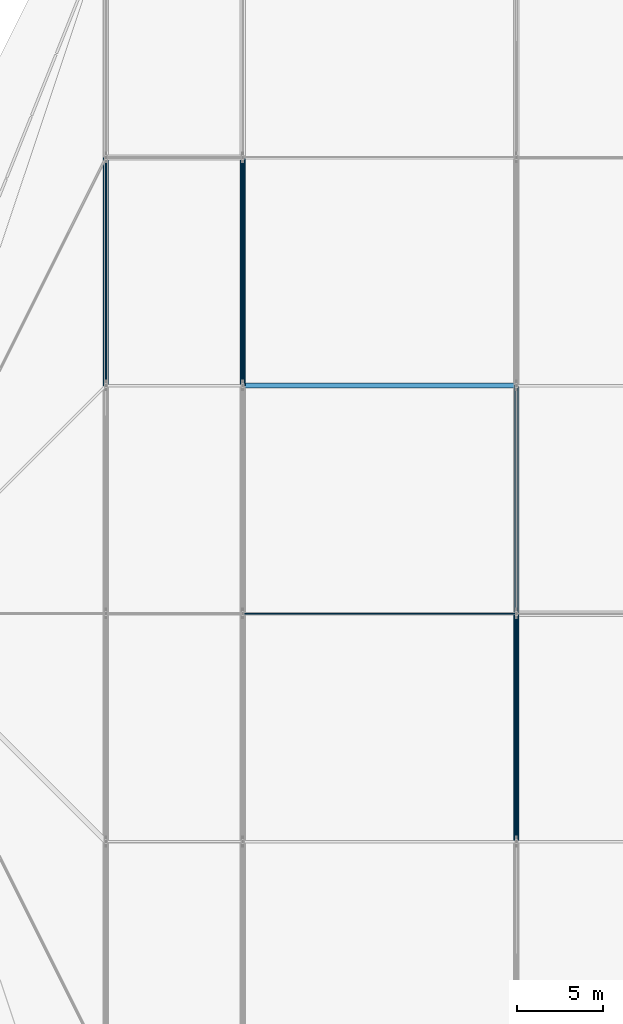
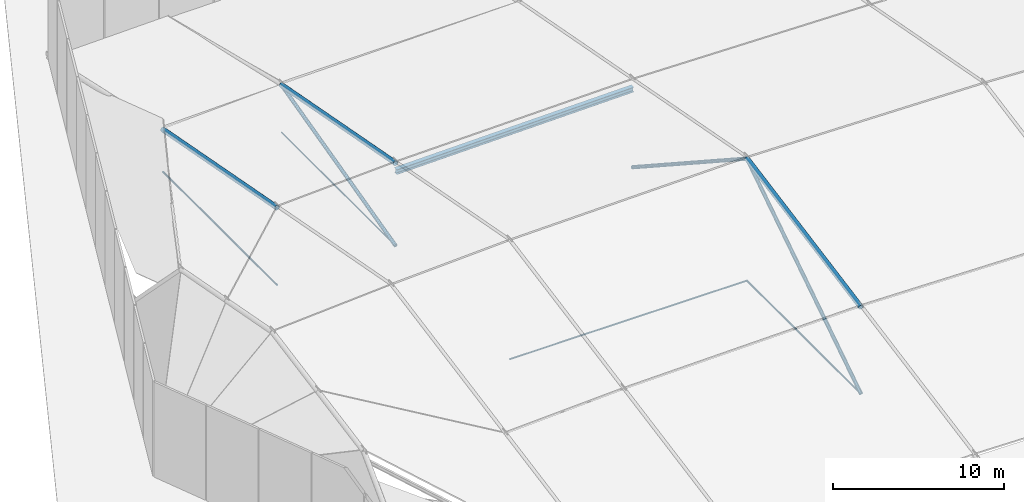
# One storey, part 10 of 30: 11 members.
"""IFC4 building model written with IfcOpenShell, lengths in metres."""

from ifc_helpers import new_model, si_unit, direction, frame, origin, origin_2d, place, context, subcontext, project, spatial, circle, hollow_circle, i_section, extrude, material, material_profile, profile_set, type_object, element, save


model = new_model("IFC4")

# Units and contexts
model_context = context("Model", 3, precision=1e-05, world=origin(), true_north=direction((0.0, 1.0)))
body_context = subcontext(model_context, "Body", "Model", "MODEL_VIEW")
ifc_project = project(units=[si_unit("LENGTHUNIT", "METRE"), si_unit("AREAUNIT", "SQUARE_METRE"), si_unit("VOLUMEUNIT", "CUBIC_METRE"), si_unit("PLANEANGLEUNIT", "RADIAN"), si_unit("MASSUNIT", "GRAM", prefix="KILO")], contexts=[model_context])

# Site, building, storey
site_placement = place(None, origin())
site = spatial("IfcSite", under=ifc_project, at=site_placement, CompositionType="ELEMENT")
building_placement = place(site_placement, origin())
building = spatial("IfcBuilding", under=site, at=building_placement, Name="Tazarka Park Arena", CompositionType="ELEMENT")
storey_placement = place(building_placement, frame((0.0, 0.0, 29.39990234375)))
storey = spatial("IfcBuildingStorey", under=building, at=storey_placement, Name="Roof", CompositionType="ELEMENT", Elevation=29.39990234375)

# Members
ifc_material_1 = material(Name="Steel S355", Category="steel")
ifc_material_profile_1 = material_profile(ifc_material_1, hollow_circle(Radius=0.122314453125, WallThickness=0.012451171875, at=origin_2d()), Name="Steel S355")
ifc_profile_set_1 = profile_set([ifc_material_profile_1], Name="Steel S355")
member_type_1 = type_object("IfcMemberType", Name="MEM-BR-05", PredefinedType="BRACE", material=ifc_profile_set_1)
member_1_placement = place(storey_placement, frame((72.0, 77.333251953125, -0.0498046875), z_axis=(0.0, 0.969459981923, 0.245249553416), x_axis=(-1.0, 0.0, 0.0)))
element("IfcMember", 1, at=member_1_placement, inside=storey, type_object=member_type_1, Name="CBD-03-4", PredefinedType="BRACE", context=body_context, shape_type="SweptSolid", body=[
    extrude(hollow_circle(Radius=0.122314453125, WallThickness=0.012451171875, at=origin_2d()), origin(), (0.0, 0.0, 1.0), 13.75341796875),
])
for number, where, z_axis, x_axis, name in (
    (2, (88.0, 50.666748046875, -0.0498046875), (0.0, 0.8374854957, 0.546459554305), (-1.0, 0.0, 0.0), "CBD-04-2"),
    (3, (88.0, 64.0, 8.650146484375), (0.0, 0.8374854957, -0.546459554305), (-1.0, 0.0, 0.0), "CBD-04-3"),
):
    element("IfcMember", number, at=place(storey_placement, frame(where, z_axis=z_axis, x_axis=x_axis)), inside=storey, type_object=member_type_1, Name=name, PredefinedType="BRACE", context=body_context, shape_type="SweptSolid", body=[
        extrude(hollow_circle(Radius=0.122314453125, WallThickness=0.012451171875, at=origin_2d()), origin(), (0.0, 0.0, 1.0), 15.920654296875),
    ])
ifc_material_2 = material(Name="Locked-coil steel cable S1570", Category="steel")
ifc_material_profile_2 = material_profile(ifc_material_2, circle(Radius=0.0400390625, at=origin_2d()), Name="Locked-coil steel cable S1570")
ifc_profile_set_2 = profile_set([ifc_material_profile_2], Name="Locked-coil steel cable S1570")
member_type_2 = type_object("IfcMemberType", Name="MEM-CBL-01", PredefinedType="USERDEFINED", material=ifc_profile_set_2)
member_2_placement = place(storey_placement, frame((72.0, 64.0, -0.0498046875), z_axis=(1.0, 0.0, 0.0), x_axis=(0.0, 1.0, 0.0)))
element("IfcMember", 4, at=member_2_placement, inside=storey, type_object=member_type_2, Name="CABLE TRANSVERSE 4-3", ObjectType="CABLE", PredefinedType="USERDEFINED", context=body_context, shape_type="SweptSolid", body=[
    extrude(circle(Radius=0.0400390625, at=origin_2d()), origin(), (0.0, 0.0, 1.0), 16.0),
])
ifc_material_3 = material(Name="Locked-coil steel cable S1570", Category="steel")
ifc_material_profile_3 = material_profile(ifc_material_3, circle(Radius=0.06005859375, at=origin_2d()), Name="Locked-coil steel cable S1570")
ifc_profile_set_3 = profile_set([ifc_material_profile_3], Name="Locked-coil steel cable S1570")
member_type_3 = type_object("IfcMemberType", Name="MEM-CBL-03", PredefinedType="USERDEFINED", material=ifc_profile_set_3)
member_3_placement = place(storey_placement, frame((64.0, 77.333251953125, -0.0498046875), z_axis=(0.0, 1.0, 0.0), x_axis=(-1.0, 0.0, 0.0)))
element("IfcMember", 5, at=member_3_placement, inside=storey, type_object=member_type_3, Name="CABLE CBL-03-3-5", ObjectType="CABLE", PredefinedType="USERDEFINED", context=body_context, shape_type="SweptSolid", body=[
    extrude(circle(Radius=0.06005859375, at=origin_2d()), origin(), (0.0, 0.0, 1.0), 13.33349609375),
])
member_4_placement = place(storey_placement, frame((88.0, 50.666748046875, -0.0498046875), z_axis=(0.0, 1.0, 0.0), x_axis=(-1.0, 0.0, 0.0)))
element("IfcMember", 6, at=member_4_placement, inside=storey, type_object=member_type_3, Name="CABLE CBL-03-5-3", ObjectType="CABLE", PredefinedType="USERDEFINED", context=body_context, shape_type="SweptSolid", body=[
    extrude(circle(Radius=0.06005859375, at=origin_2d()), origin(), (0.0, 0.0, 1.0), 13.333251953125),
])
ifc_material_4 = material(Name="Locked-coil steel cable S1570", Category="steel")
ifc_material_profile_4 = material_profile(ifc_material_4, circle(Radius=0.044921875, at=origin_2d()), Name="Locked-coil steel cable S1570")
ifc_profile_set_4 = profile_set([ifc_material_profile_4], Name="Locked-coil steel cable S1570")
member_type_4 = type_object("IfcMemberType", Name="MEM-CBL-04", PredefinedType="USERDEFINED", material=ifc_profile_set_4)
member_5_placement = place(storey_placement, frame((72.0, 77.333251953125, -0.0498046875), z_axis=(0.0, 1.0, 0.0), x_axis=(-1.0, 0.0, 0.0)))
element("IfcMember", 7, at=member_5_placement, inside=storey, type_object=member_type_4, Name="CABLE CBL-04-4-5", ObjectType="CABLE", PredefinedType="USERDEFINED", context=body_context, shape_type="SweptSolid", body=[
    extrude(circle(Radius=0.044921875, at=origin_2d()), origin(), (0.0, 0.0, 1.0), 13.33349609375),
])
ifc_material_5 = material(Name="Steel S460", Category="steel")
ifc_material_profile_5 = material_profile(ifc_material_5, hollow_circle(Radius=0.161865234375, WallThickness=0.01611328125, at=origin_2d()), Name="Steel S460")
ifc_profile_set_5 = profile_set([ifc_material_profile_5], Name="Steel S460")
member_type_5 = type_object("IfcMemberType", Name="MEM-CH-03", PredefinedType="CHORD", material=ifc_profile_set_5)
for number, where, z_axis, x_axis, name in (
    (8, (64.0, 77.333251953125, 5.46484375), (0.0, 0.982679772131, -0.185311806005), (-1.0, 0.0, 0.0), "CABLE ARCH CHORD 3-5"),
    (9, (72.0, 77.333251953125, 5.837646484375), (0.0, 0.982679772131, -0.185311806005), (-1.0, 0.0, 0.0), "CABLE ARCH CHORD 4-5"),
):
    element("IfcMember", number, at=place(storey_placement, frame(where, z_axis=z_axis, x_axis=x_axis)), inside=storey, type_object=member_type_5, Name=name, PredefinedType="CHORD", context=body_context, shape_type="SweptSolid", body=[
        extrude(hollow_circle(Radius=0.161865234375, WallThickness=0.01611328125, at=origin_2d()), origin(), (0.0, 0.0, 1.0), 13.568603515625),
    ])
member_6_placement = place(storey_placement, frame((88.0, 50.666748046875, 6.1357421875), z_axis=(0.0, 0.98267915422, 0.18531508266), x_axis=(-1.0, 0.0, 0.0)))
element("IfcMember", 10, at=member_6_placement, inside=storey, type_object=member_type_5, Name="CABLE ARCH CHORD 5-3", PredefinedType="CHORD", context=body_context, shape_type="SweptSolid", body=[
    extrude(hollow_circle(Radius=0.161865234375, WallThickness=0.01611328125, at=origin_2d()), origin(), (0.0, 0.0, 1.0), 13.568359375),
])
ifc_material_6 = material(Name="Steel S355", Category="steel")
ifc_material_profile_6 = material_profile(ifc_material_6, i_section(OverallWidth=0.300048828125, OverallDepth=0.35009765625, WebThickness=0.010009765625, FlangeThickness=0.017578125, FilletRadius=0.027099609375, at=origin_2d()), Name="Steel S355")
ifc_profile_set_6 = profile_set([ifc_material_profile_6], Name="Steel S355")
member_type_6 = type_object("IfcMemberType", Name="MEM-PR-04", PredefinedType="PURLIN", material=ifc_profile_set_6)
member_7_placement = place(storey_placement, frame((72.0, 77.333251953125, 5.277587890625), z_axis=(0.999826488435, 0.0, 0.018627748755), x_axis=(0.0, 1.0, 0.0)))
element("IfcMember", 11, at=member_7_placement, inside=storey, type_object=member_type_6, Name="RPM-03-04", PredefinedType="PURLIN", context=body_context, shape_type="SweptSolid", body=[
    extrude(i_section(OverallWidth=0.300048828125, OverallDepth=0.35009765625, WebThickness=0.010009765625, FlangeThickness=0.017578125, FilletRadius=0.027099609375, at=origin_2d()), origin(), (0.0, 0.0, 1.0), 16.002685546875),
])

save(model, "model.ifc")
